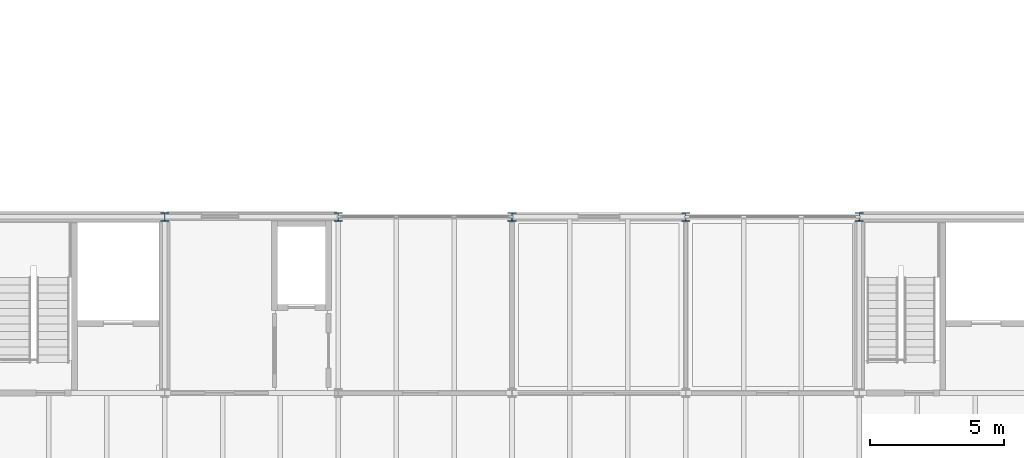
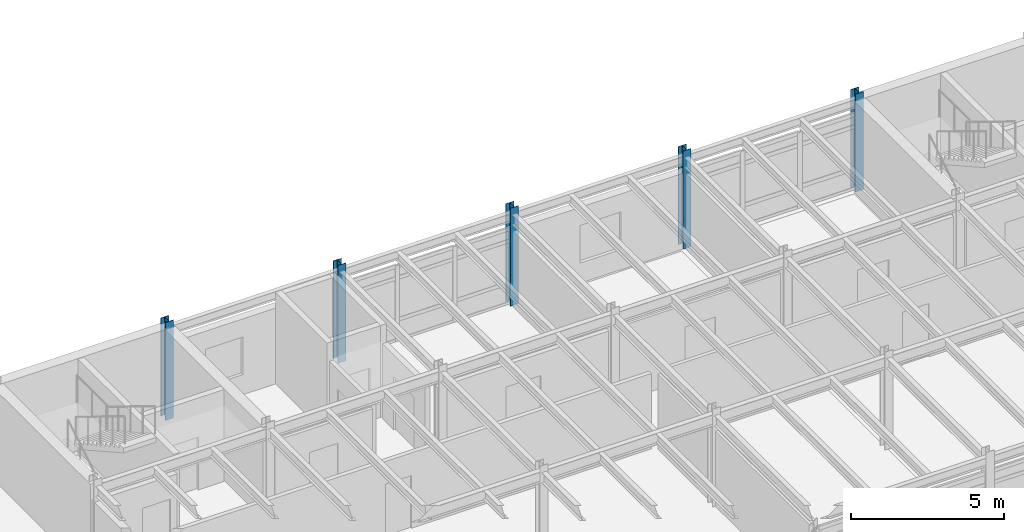
# One storey, part 5 of 57: 5 columns.
"""IFC4 building model written with IfcOpenShell, lengths in metres."""

from ifc_helpers import new_model, si_unit, direction, frame, origin, origin_2d, place, context, subcontext, project, spatial, i_section, extrude, material, material_profile, profile_set, type_object, element, save


model = new_model("IFC4")

# Units and contexts
model_context = context("Model", 3, precision=1e-05, world=origin(), true_north=direction((0.0, 1.0)))
body_context = subcontext(model_context, "Body", "Model", "MODEL_VIEW")
ifc_project = project(units=[si_unit("LENGTHUNIT", "METRE"), si_unit("AREAUNIT", "SQUARE_METRE"), si_unit("VOLUMEUNIT", "CUBIC_METRE"), si_unit("PLANEANGLEUNIT", "RADIAN"), si_unit("MASSUNIT", "GRAM", prefix="KILO")], contexts=[model_context])

# Site, building, storey
site_placement = place(None, origin())
site = spatial("IfcSite", under=ifc_project, at=site_placement, CompositionType="ELEMENT")
building_placement = place(site_placement, origin())
building = spatial("IfcBuilding", under=site, at=building_placement, Name="Trelmorton Wharf Fire Station", CompositionType="ELEMENT")
storey_placement = place(building_placement, frame((0.0, 0.0, 13.5)))
storey = spatial("IfcBuildingStorey", under=building, at=storey_placement, Name="L03", CompositionType="ELEMENT", Elevation=13.5)

# Columns
ifc_material = material(Name="Steel Grade 350", Category="steel")
ifc_material_profile = material_profile(ifc_material, i_section(OverallWidth=0.306884765625, OverallDepth=0.31494140625, WebThickness=0.011962890625, FlangeThickness=0.018798828125, FilletRadius=0.0166015625, at=origin_2d()), Name="310UC118")
ifc_profile_set = profile_set([ifc_material_profile], Name="Steel Grade 350")
column_type = type_object("IfcColumnType", Name="COL_310UC118", PredefinedType="COLUMN", material=ifc_profile_set)
for number, where, z_axis, x_axis, name in (
    (1, (117.0, 27.60009765625, 0.0), (0.0, 0.0, 1.0), (1.0, 0.0, 0.0), "COL-L03-0635"),
    (2, (123.5, 27.60009765625, 0.0), (0.0, 0.0, 1.0), (1.0, 0.0, 0.0), "COL-L03-0643"),
    (3, (130.0, 27.60009765625, 0.0), (0.0, 0.0, 1.0), (1.0, 0.0, 0.0), "COL-L03-0651"),
    (4, (136.5, 27.60009765625, 0.0), (0.0, 0.0, 1.0), (1.0, 0.0, 0.0), "COL-L03-0659"),
    (5, (143.0, 27.60009765625, 0.0), (0.0, 0.0, 1.0), (1.0, 0.0, 0.0), "COL-L03-0667"),
):
    element("IfcColumn", number, at=place(storey_placement, frame(where, z_axis=z_axis, x_axis=x_axis)), inside=storey, type_object=column_type, Name=name, PredefinedType="COLUMN", context=body_context, shape_type="SweptSolid", body=[
        extrude(i_section(OverallWidth=0.306884765625, OverallDepth=0.31494140625, WebThickness=0.011962890625, FlangeThickness=0.018798828125, FilletRadius=0.0166015625, at=origin_2d()), origin(), (0.0, 0.0, 1.0), 3.89990234375),
    ])

save(model, "model.ifc")
